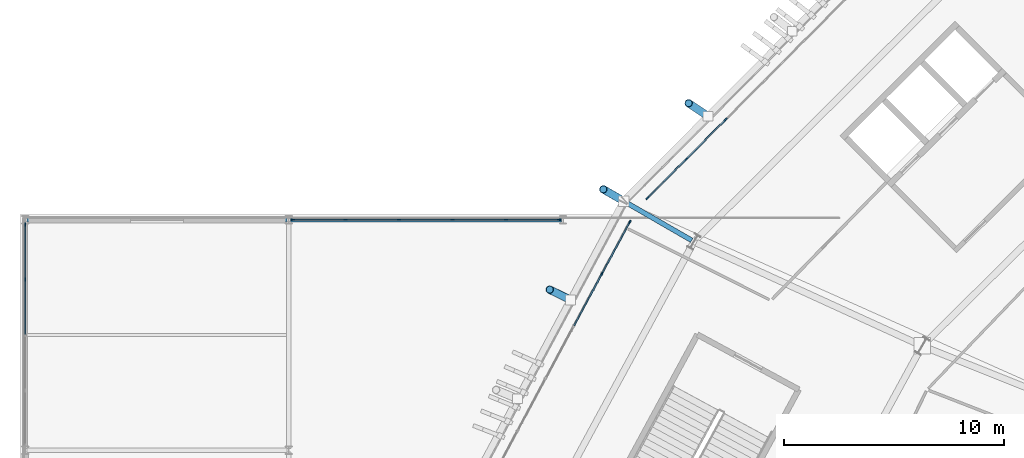
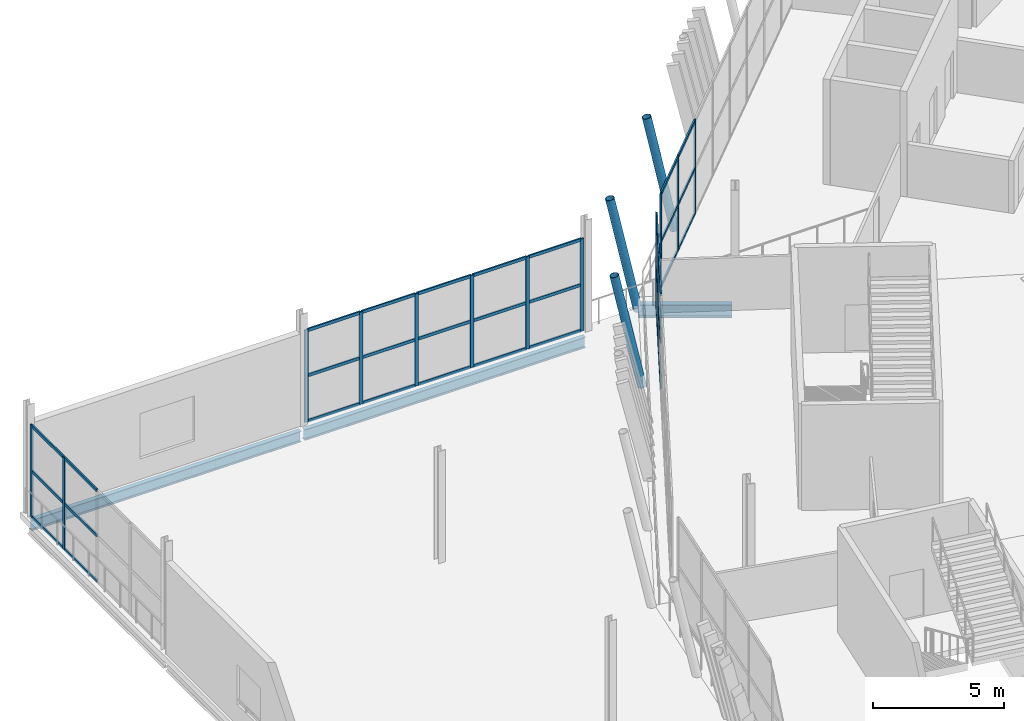
# One storey, part 42 of 168: 49 members, 3 beams, 4 elements without a shape of their own.
"""IFC4 building model written with IfcOpenShell, lengths in metres."""

from ifc_helpers import new_model, si_unit, direction, frame, origin, origin_2d, place, context, subcontext, project, spatial, rectangle, hollow_circle, i_section, extrude, material, material_profile, profile_set, type_object, element, aggregate, save


model = new_model("IFC4")

# Units and contexts
model_context = context("Model", 3, precision=1e-05, world=origin(), true_north=direction((0.0, 1.0)))
body_context = subcontext(model_context, "Body", "Model", "MODEL_VIEW")
ifc_project = project(units=[si_unit("LENGTHUNIT", "METRE"), si_unit("AREAUNIT", "SQUARE_METRE"), si_unit("VOLUMEUNIT", "CUBIC_METRE"), si_unit("PLANEANGLEUNIT", "RADIAN"), si_unit("MASSUNIT", "GRAM", prefix="KILO")], contexts=[model_context])

# Site, building, storey
site_placement = place(None, origin())
site = spatial("IfcSite", under=ifc_project, at=site_placement, CompositionType="ELEMENT")
building_placement = place(site_placement, origin())
building = spatial("IfcBuilding", under=site, at=building_placement, Name="Zlatoyarsky Gate Stadium", CompositionType="ELEMENT")
storey_placement = place(building_placement, frame((0.0, 0.0, 15.60009765625)))
storey = spatial("IfcBuildingStorey", under=building, at=storey_placement, Name="L03", CompositionType="ELEMENT", Elevation=15.60009765625)

# Curtain wall, members
ifc_material_1 = material(Name="Thermally broken anodised aluminium curtain wall", Category="aluminium")
curtain_wall_type_1 = type_object("IfcCurtainWallType", Name="UNITISED CORPORATE BOX GLAZING L03", PredefinedType="USERDEFINED", material=ifc_material_1)
curtain_wall_1_placement = place(storey_placement, origin())
curtain_wall_1 = element("IfcCurtainWall", 1, at=curtain_wall_1_placement, inside=storey, type_object=curtain_wall_type_1, Name="Curtain wall CW-L03-09", ObjectType="UNITISED GLAZING", PredefinedType="USERDEFINED")
ifc_material_2 = material(Name="Anodised aluminium 6063-T6", Category="aluminium")
ifc_material_profile_1 = material_profile(ifc_material_2, rectangle(XDim=0.06494140625, YDim=0.159912109375, at=origin_2d()), Name="ALU 65X160")
ifc_profile_set_1 = profile_set([ifc_material_profile_1], Name="Anodised aluminium 6063-T6")
member_type_1 = type_object("IfcMemberType", Name="ALUMINIUM MULLION 65X160", PredefinedType="MULLION", material=ifc_profile_set_1)
member_1_placement = place(storey_placement, frame((31.903076171875, 121.06298828125, 0.0), z_axis=(0.0, 0.0, 1.0), x_axis=(0.708721143054, -0.705488725202, 0.0)))
member_1 = element("IfcMember", 2, at=member_1_placement, type_object=member_type_1, Name="CW-UG3 mullion 7", PredefinedType="MULLION", context=body_context, shape_type="SweptSolid", body=[
    extrude(rectangle(XDim=0.06494140625, YDim=0.159912109375, at=origin_2d()), origin(), (0.0, 0.0, 1.0), 4.3798828125),
])
member_2_placement = place(storey_placement, frame((30.110595703125, 119.262451171875, 0.0), z_axis=(0.0, 0.0, 1.0), x_axis=(0.708721143054, -0.705488725202, 0.0)))
member_2 = element("IfcMember", 3, at=member_2_placement, type_object=member_type_1, Name="CW-UG3 mullion 8", PredefinedType="MULLION", context=body_context, shape_type="SweptSolid", body=[
    extrude(rectangle(XDim=0.06494140625, YDim=0.159912109375, at=origin_2d()), origin(), (0.0, 0.0, 1.0), 4.3798828125),
])
member_3_placement = place(storey_placement, frame((28.34130859375, 117.48486328125, 0.0), z_axis=(0.0, 0.0, 1.0), x_axis=(0.708721143054, -0.705488725202, 0.0)))
member_3 = element("IfcMember", 4, at=member_3_placement, type_object=member_type_1, Name="CW-UG3 mullion 9", PredefinedType="MULLION", context=body_context, shape_type="SweptSolid", body=[
    extrude(rectangle(XDim=0.06494140625, YDim=0.159912109375, at=origin_2d()), origin(), (0.0, 0.0, 1.0), 4.3798828125),
])

curtain_wall_2_placement = place(storey_placement, origin())
curtain_wall_2 = element("IfcCurtainWall", 5, at=curtain_wall_2_placement, inside=storey, type_object=curtain_wall_type_1, Name="Curtain wall CW-L03-10", ObjectType="UNITISED GLAZING", PredefinedType="USERDEFINED")
member_4_placement = place(storey_placement, frame((27.53662109375, 116.39990234375, 0.0), z_axis=(0.0, 0.0, 1.0), x_axis=(0.880877202392, -0.473344857694, 0.0)))
member_4 = element("IfcMember", 6, at=member_4_placement, type_object=member_type_1, Name="CW-UG3 mullion 1", PredefinedType="MULLION", context=body_context, shape_type="SweptSolid", body=[
    extrude(rectangle(XDim=0.06494140625, YDim=0.159912109375, at=origin_2d()), origin(), (0.0, 0.0, 1.0), 4.3798828125),
])
member_5_placement = place(storey_placement, frame((26.269775390625, 114.04248046875, 0.0), z_axis=(0.0, 0.0, 1.0), x_axis=(0.880877202392, -0.473344857694, 0.0)))
member_5 = element("IfcMember", 7, at=member_5_placement, type_object=member_type_1, Name="CW-UG3 mullion 2", PredefinedType="MULLION", context=body_context, shape_type="SweptSolid", body=[
    extrude(rectangle(XDim=0.06494140625, YDim=0.159912109375, at=origin_2d()), origin(), (0.0, 0.0, 1.0), 4.3798828125),
])

curtain_wall_type_2 = type_object("IfcCurtainWallType", Name="WINTER GARDEN CONSERVATORY GLAZING", PredefinedType="USERDEFINED", material=ifc_material_1)
curtain_wall_3_placement = place(storey_placement, origin())
curtain_wall_3 = element("IfcCurtainWall", 8, at=curtain_wall_3_placement, inside=storey, type_object=curtain_wall_type_2, Name="Curtain wall CW-V4_WEST-L03-173", ObjectType="UNITISED GLAZING", PredefinedType="USERDEFINED")
member_6_placement = place(storey_placement, frame((0.0, 113.779052734375, 0.0), z_axis=(0.0, 0.0, 1.0), x_axis=(-1.0, 0.0, 0.0)))
member_6 = element("IfcMember", 9, at=member_6_placement, type_object=member_type_1, Name="CW-WG1 mullion 4", PredefinedType="MULLION", context=body_context, shape_type="SweptSolid", body=[
    extrude(rectangle(XDim=0.06494140625, YDim=0.159912109375, at=origin_2d()), origin(), (0.0, 0.0, 1.0), 4.27978515625),
])
member_7_placement = place(storey_placement, frame((0.0, 116.275390625, 0.0), z_axis=(0.0, 0.0, 1.0), x_axis=(-1.0, 0.0, 0.0)))
member_7 = element("IfcMember", 10, at=member_7_placement, type_object=member_type_1, Name="CW-WG1 mullion 5", PredefinedType="MULLION", context=body_context, shape_type="SweptSolid", body=[
    extrude(rectangle(XDim=0.06494140625, YDim=0.159912109375, at=origin_2d()), origin(), (0.0, 0.0, 1.0), 4.27978515625),
])

curtain_wall_4_placement = place(storey_placement, origin())
curtain_wall_4 = element("IfcCurtainWall", 11, at=curtain_wall_4_placement, inside=storey, type_object=curtain_wall_type_2, Name="Curtain wall CW-V4_WEST-L03-179", ObjectType="UNITISED GLAZING", PredefinedType="USERDEFINED")
member_8_placement = place(storey_placement, frame((12.194580078125, 116.5, 0.0), z_axis=(0.0, 0.0, 1.0), x_axis=(0.0, 1.0, 0.0)))
member_8 = element("IfcMember", 12, at=member_8_placement, type_object=member_type_1, Name="CW-WG1 mullion 1", PredefinedType="MULLION", context=body_context, shape_type="SweptSolid", body=[
    extrude(rectangle(XDim=0.06494140625, YDim=0.159912109375, at=origin_2d()), origin(), (0.0, 0.0, 1.0), 4.27978515625),
])
member_9_placement = place(storey_placement, frame((14.59716796875, 116.5, 0.0), z_axis=(0.0, 0.0, 1.0), x_axis=(0.0, 1.0, 0.0)))
member_9 = element("IfcMember", 13, at=member_9_placement, type_object=member_type_1, Name="CW-WG1 mullion 2", PredefinedType="MULLION", context=body_context, shape_type="SweptSolid", body=[
    extrude(rectangle(XDim=0.06494140625, YDim=0.159912109375, at=origin_2d()), origin(), (0.0, 0.0, 1.0), 4.27978515625),
])
member_10_placement = place(storey_placement, frame((17.032470703125, 116.5, 0.0), z_axis=(0.0, 0.0, 1.0), x_axis=(0.0, 1.0, 0.0)))
member_10 = element("IfcMember", 14, at=member_10_placement, type_object=member_type_1, Name="CW-WG1 mullion 3", PredefinedType="MULLION", context=body_context, shape_type="SweptSolid", body=[
    extrude(rectangle(XDim=0.06494140625, YDim=0.159912109375, at=origin_2d()), origin(), (0.0, 0.0, 1.0), 4.27978515625),
])
member_11_placement = place(storey_placement, frame((19.467529296875, 116.5, 0.0), z_axis=(0.0, 0.0, 1.0), x_axis=(0.0, 1.0, 0.0)))
member_11 = element("IfcMember", 15, at=member_11_placement, type_object=member_type_1, Name="CW-WG1 mullion 4", PredefinedType="MULLION", context=body_context, shape_type="SweptSolid", body=[
    extrude(rectangle(XDim=0.06494140625, YDim=0.159912109375, at=origin_2d()), origin(), (0.0, 0.0, 1.0), 4.27978515625),
])
member_12_placement = place(storey_placement, frame((21.90283203125, 116.5, 0.0), z_axis=(0.0, 0.0, 1.0), x_axis=(0.0, 1.0, 0.0)))
member_12 = element("IfcMember", 16, at=member_12_placement, type_object=member_type_1, Name="CW-WG1 mullion 5", PredefinedType="MULLION", context=body_context, shape_type="SweptSolid", body=[
    extrude(rectangle(XDim=0.06494140625, YDim=0.159912109375, at=origin_2d()), origin(), (0.0, 0.0, 1.0), 4.27978515625),
])
member_13_placement = place(storey_placement, frame((24.305419921875, 116.5, 0.0), z_axis=(0.0, 0.0, 1.0), x_axis=(0.0, 1.0, 0.0)))
member_13 = element("IfcMember", 17, at=member_13_placement, type_object=member_type_1, Name="CW-WG1 mullion 6", PredefinedType="MULLION", context=body_context, shape_type="SweptSolid", body=[
    extrude(rectangle(XDim=0.06494140625, YDim=0.159912109375, at=origin_2d()), origin(), (0.0, 0.0, 1.0), 4.27978515625),
])

# Member
ifc_material_profile_2 = material_profile(ifc_material_2, rectangle(XDim=0.06494140625, YDim=0.139892578125, at=origin_2d()), Name="ALU 65X140")
ifc_profile_set_2 = profile_set([ifc_material_profile_2], Name="Anodised aluminium 6063-T6")
member_type_2 = type_object("IfcMemberType", Name="ALUMINIUM TRANSOM 65X140", PredefinedType="USERDEFINED", material=ifc_profile_set_2)
member_14_placement = place(storey_placement, frame((31.880126953125, 121.0400390625, 0.032470703125), z_axis=(-0.705477793712, -0.708732024519, 0.0), x_axis=(0.708732024519, -0.705477793712, 0.0)))
member_14 = element("IfcMember", 18, at=member_14_placement, type_object=member_type_2, Name="CW-UG3 transom 7.1", ObjectType="TRANSOM", PredefinedType="USERDEFINED", context=body_context, shape_type="SweptSolid", body=[
    extrude(rectangle(XDim=0.06494140625, YDim=0.139892578125, at=origin_2d()), origin(), (0.0, 0.0, 1.0), 2.475830078125),
])

member_15_placement = place(storey_placement, frame((31.880126953125, 121.0400390625, 2.14990234375), z_axis=(-0.705477793712, -0.708732024519, 0.0), x_axis=(0.708732024519, -0.705477793712, 0.0)))
member_15 = element("IfcMember", 19, at=member_15_placement, type_object=member_type_2, Name="CW-UG3 transom 7.2", ObjectType="TRANSOM", PredefinedType="USERDEFINED", context=body_context, shape_type="SweptSolid", body=[
    extrude(rectangle(XDim=0.06494140625, YDim=0.139892578125, at=origin_2d()), origin(), (0.0, 0.0, 1.0), 2.475830078125),
])

member_16_placement = place(storey_placement, frame((31.880126953125, 121.0400390625, 4.347412109375), z_axis=(-0.705477793712, -0.708732024519, 0.0), x_axis=(0.708732024519, -0.705477793712, 0.0)))
member_16 = element("IfcMember", 20, at=member_16_placement, type_object=member_type_2, Name="CW-UG3 transom 7.3", ObjectType="TRANSOM", PredefinedType="USERDEFINED", context=body_context, shape_type="SweptSolid", body=[
    extrude(rectangle(XDim=0.06494140625, YDim=0.139892578125, at=origin_2d()), origin(), (0.0, 0.0, 1.0), 2.475830078125),
])

member_17_placement = place(storey_placement, frame((30.087890625, 119.239501953125, 0.032470703125), z_axis=(-0.705456130135, -0.708753587967, 0.0), x_axis=(0.708753587967, -0.705456130135, 0.0)))
member_17 = element("IfcMember", 21, at=member_17_placement, type_object=member_type_2, Name="CW-UG3 transom 8.1", ObjectType="TRANSOM", PredefinedType="USERDEFINED", context=body_context, shape_type="SweptSolid", body=[
    extrude(rectangle(XDim=0.06494140625, YDim=0.139892578125, at=origin_2d()), origin(), (0.0, 0.0, 1.0), 2.443359375),
])

member_18_placement = place(storey_placement, frame((30.087890625, 119.239501953125, 2.14990234375), z_axis=(-0.705456130135, -0.708753587967, 0.0), x_axis=(0.708753587967, -0.705456130135, 0.0)))
member_18 = element("IfcMember", 22, at=member_18_placement, type_object=member_type_2, Name="CW-UG3 transom 8.2", ObjectType="TRANSOM", PredefinedType="USERDEFINED", context=body_context, shape_type="SweptSolid", body=[
    extrude(rectangle(XDim=0.06494140625, YDim=0.139892578125, at=origin_2d()), origin(), (0.0, 0.0, 1.0), 2.443359375),
])

member_19_placement = place(storey_placement, frame((30.087890625, 119.239501953125, 4.347412109375), z_axis=(-0.705456130135, -0.708753587967, 0.0), x_axis=(0.708753587967, -0.705456130135, 0.0)))
member_19 = element("IfcMember", 23, at=member_19_placement, type_object=member_type_2, Name="CW-UG3 transom 8.3", ObjectType="TRANSOM", PredefinedType="USERDEFINED", context=body_context, shape_type="SweptSolid", body=[
    extrude(rectangle(XDim=0.06494140625, YDim=0.139892578125, at=origin_2d()), origin(), (0.0, 0.0, 1.0), 2.443359375),
])

aggregate(curtain_wall_1, [member_1, member_2, member_3, member_14, member_15, member_16, member_17, member_18, member_19])

member_20_placement = place(storey_placement, frame((27.521240234375, 116.371337890625, 0.032470703125), z_axis=(-0.473347001092, -0.880876050621, 0.0), x_axis=(0.880876050621, -0.473347001092, 0.0)))
member_20 = element("IfcMember", 24, at=member_20_placement, type_object=member_type_2, Name="CW-UG3 transom 1.1", ObjectType="TRANSOM", PredefinedType="USERDEFINED", context=body_context, shape_type="SweptSolid", body=[
    extrude(rectangle(XDim=0.06494140625, YDim=0.139892578125, at=origin_2d()), origin(), (0.0, 0.0, 1.0), 2.611328125),
])

member_21_placement = place(storey_placement, frame((27.521240234375, 116.371337890625, 2.14990234375), z_axis=(-0.473347001092, -0.880876050621, 0.0), x_axis=(0.880876050621, -0.473347001092, 0.0)))
member_21 = element("IfcMember", 25, at=member_21_placement, type_object=member_type_2, Name="CW-UG3 transom 1.2", ObjectType="TRANSOM", PredefinedType="USERDEFINED", context=body_context, shape_type="SweptSolid", body=[
    extrude(rectangle(XDim=0.06494140625, YDim=0.139892578125, at=origin_2d()), origin(), (0.0, 0.0, 1.0), 2.611328125),
])

member_22_placement = place(storey_placement, frame((27.521240234375, 116.371337890625, 4.347412109375), z_axis=(-0.473347001092, -0.880876050621, 0.0), x_axis=(0.880876050621, -0.473347001092, 0.0)))
member_22 = element("IfcMember", 26, at=member_22_placement, type_object=member_type_2, Name="CW-UG3 transom 1.3", ObjectType="TRANSOM", PredefinedType="USERDEFINED", context=body_context, shape_type="SweptSolid", body=[
    extrude(rectangle(XDim=0.06494140625, YDim=0.139892578125, at=origin_2d()), origin(), (0.0, 0.0, 1.0), 2.611328125),
])

member_23_placement = place(storey_placement, frame((26.25439453125, 114.013671875, 0.032470703125), z_axis=(-0.473356241073, -0.880871085368, 0.0), x_axis=(0.880871085368, -0.473356241073, 0.0)))
member_23 = element("IfcMember", 27, at=member_23_placement, type_object=member_type_2, Name="CW-UG3 transom 2.1", ObjectType="TRANSOM", PredefinedType="USERDEFINED", context=body_context, shape_type="SweptSolid", body=[
    extrude(rectangle(XDim=0.06494140625, YDim=0.139892578125, at=origin_2d()), origin(), (0.0, 0.0, 1.0), 2.643798828125),
])

member_24_placement = place(storey_placement, frame((26.25439453125, 114.013671875, 2.14990234375), z_axis=(-0.473356241073, -0.880871085368, 0.0), x_axis=(0.880871085368, -0.473356241073, 0.0)))
member_24 = element("IfcMember", 28, at=member_24_placement, type_object=member_type_2, Name="CW-UG3 transom 2.2", ObjectType="TRANSOM", PredefinedType="USERDEFINED", context=body_context, shape_type="SweptSolid", body=[
    extrude(rectangle(XDim=0.06494140625, YDim=0.139892578125, at=origin_2d()), origin(), (0.0, 0.0, 1.0), 2.643798828125),
])

member_25_placement = place(storey_placement, frame((26.25439453125, 114.013671875, 4.347412109375), z_axis=(-0.473356241073, -0.880871085368, 0.0), x_axis=(0.880871085368, -0.473356241073, 0.0)))
member_25 = element("IfcMember", 29, at=member_25_placement, type_object=member_type_2, Name="CW-UG3 transom 2.3", ObjectType="TRANSOM", PredefinedType="USERDEFINED", context=body_context, shape_type="SweptSolid", body=[
    extrude(rectangle(XDim=0.06494140625, YDim=0.139892578125, at=origin_2d()), origin(), (0.0, 0.0, 1.0), 2.643798828125),
])

aggregate(curtain_wall_2, [member_4, member_5, member_20, member_21, member_22, member_23, member_24, member_25])

member_26_placement = place(storey_placement, frame((0.0, 111.282470703125, 0.032470703125), z_axis=(0.0, 1.0, 0.0), x_axis=(-1.0, 0.0, 0.0)))
member_26 = element("IfcMember", 30, at=member_26_placement, type_object=member_type_2, Name="CW-WG1 transom 3.1", ObjectType="TRANSOM", PredefinedType="USERDEFINED", context=body_context, shape_type="SweptSolid", body=[
    extrude(rectangle(XDim=0.06494140625, YDim=0.139892578125, at=origin_2d()), origin(), (0.0, 0.0, 1.0), 2.464111328125),
])

member_27_placement = place(storey_placement, frame((0.0, 111.282470703125, 2.14990234375), z_axis=(0.0, 1.0, 0.0), x_axis=(-1.0, 0.0, 0.0)))
member_27 = element("IfcMember", 31, at=member_27_placement, type_object=member_type_2, Name="CW-WG1 transom 3.2", ObjectType="TRANSOM", PredefinedType="USERDEFINED", context=body_context, shape_type="SweptSolid", body=[
    extrude(rectangle(XDim=0.06494140625, YDim=0.139892578125, at=origin_2d()), origin(), (0.0, 0.0, 1.0), 2.464111328125),
])

member_28_placement = place(storey_placement, frame((0.0, 111.282470703125, 4.247314453125), z_axis=(0.0, 1.0, 0.0), x_axis=(-1.0, 0.0, 0.0)))
member_28 = element("IfcMember", 32, at=member_28_placement, type_object=member_type_2, Name="CW-WG1 transom 3.3", ObjectType="TRANSOM", PredefinedType="USERDEFINED", context=body_context, shape_type="SweptSolid", body=[
    extrude(rectangle(XDim=0.06494140625, YDim=0.139892578125, at=origin_2d()), origin(), (0.0, 0.0, 1.0), 2.464111328125),
])

member_29_placement = place(storey_placement, frame((0.0, 113.8115234375, 0.032470703125), z_axis=(0.0, 1.0, 0.0), x_axis=(-1.0, 0.0, 0.0)))
member_29 = element("IfcMember", 33, at=member_29_placement, type_object=member_type_2, Name="CW-WG1 transom 4.1", ObjectType="TRANSOM", PredefinedType="USERDEFINED", context=body_context, shape_type="SweptSolid", body=[
    extrude(rectangle(XDim=0.06494140625, YDim=0.139892578125, at=origin_2d()), origin(), (0.0, 0.0, 1.0), 2.431396484375),
])

member_30_placement = place(storey_placement, frame((0.0, 113.8115234375, 2.14990234375), z_axis=(0.0, 1.0, 0.0), x_axis=(-1.0, 0.0, 0.0)))
member_30 = element("IfcMember", 34, at=member_30_placement, type_object=member_type_2, Name="CW-WG1 transom 4.2", ObjectType="TRANSOM", PredefinedType="USERDEFINED", context=body_context, shape_type="SweptSolid", body=[
    extrude(rectangle(XDim=0.06494140625, YDim=0.139892578125, at=origin_2d()), origin(), (0.0, 0.0, 1.0), 2.431396484375),
])

member_31_placement = place(storey_placement, frame((0.0, 113.8115234375, 4.247314453125), z_axis=(0.0, 1.0, 0.0), x_axis=(-1.0, 0.0, 0.0)))
member_31 = element("IfcMember", 35, at=member_31_placement, type_object=member_type_2, Name="CW-WG1 transom 4.3", ObjectType="TRANSOM", PredefinedType="USERDEFINED", context=body_context, shape_type="SweptSolid", body=[
    extrude(rectangle(XDim=0.06494140625, YDim=0.139892578125, at=origin_2d()), origin(), (0.0, 0.0, 1.0), 2.431396484375),
])

aggregate(curtain_wall_3, [member_6, member_7, member_26, member_27, member_28, member_29, member_30, member_31])

member_32_placement = place(storey_placement, frame((12.22705078125, 116.5, 0.032470703125), z_axis=(1.0, 0.0, 0.0), x_axis=(0.0, 1.0, 0.0)))
member_32 = element("IfcMember", 36, at=member_32_placement, type_object=member_type_2, Name="CW-WG1 transom 1.1", ObjectType="TRANSOM", PredefinedType="USERDEFINED", context=body_context, shape_type="SweptSolid", body=[
    extrude(rectangle(XDim=0.06494140625, YDim=0.139892578125, at=origin_2d()), origin(), (0.0, 0.0, 1.0), 2.337646484375),
])

member_33_placement = place(storey_placement, frame((12.22705078125, 116.5, 2.14990234375), z_axis=(1.0, 0.0, 0.0), x_axis=(0.0, 1.0, 0.0)))
member_33 = element("IfcMember", 37, at=member_33_placement, type_object=member_type_2, Name="CW-WG1 transom 1.2", ObjectType="TRANSOM", PredefinedType="USERDEFINED", context=body_context, shape_type="SweptSolid", body=[
    extrude(rectangle(XDim=0.06494140625, YDim=0.139892578125, at=origin_2d()), origin(), (0.0, 0.0, 1.0), 2.337646484375),
])

member_34_placement = place(storey_placement, frame((12.22705078125, 116.5, 4.247314453125), z_axis=(1.0, 0.0, 0.0), x_axis=(0.0, 1.0, 0.0)))
member_34 = element("IfcMember", 38, at=member_34_placement, type_object=member_type_2, Name="CW-WG1 transom 1.3", ObjectType="TRANSOM", PredefinedType="USERDEFINED", context=body_context, shape_type="SweptSolid", body=[
    extrude(rectangle(XDim=0.06494140625, YDim=0.139892578125, at=origin_2d()), origin(), (0.0, 0.0, 1.0), 2.337646484375),
])

member_35_placement = place(storey_placement, frame((14.629638671875, 116.5, 0.032470703125), z_axis=(1.0, 0.0, 0.0), x_axis=(0.0, 1.0, 0.0)))
member_35 = element("IfcMember", 39, at=member_35_placement, type_object=member_type_2, Name="CW-WG1 transom 2.1", ObjectType="TRANSOM", PredefinedType="USERDEFINED", context=body_context, shape_type="SweptSolid", body=[
    extrude(rectangle(XDim=0.06494140625, YDim=0.139892578125, at=origin_2d()), origin(), (0.0, 0.0, 1.0), 2.370361328125),
])

member_36_placement = place(storey_placement, frame((14.629638671875, 116.5, 2.14990234375), z_axis=(1.0, 0.0, 0.0), x_axis=(0.0, 1.0, 0.0)))
member_36 = element("IfcMember", 40, at=member_36_placement, type_object=member_type_2, Name="CW-WG1 transom 2.2", ObjectType="TRANSOM", PredefinedType="USERDEFINED", context=body_context, shape_type="SweptSolid", body=[
    extrude(rectangle(XDim=0.06494140625, YDim=0.139892578125, at=origin_2d()), origin(), (0.0, 0.0, 1.0), 2.370361328125),
])

member_37_placement = place(storey_placement, frame((14.629638671875, 116.5, 4.247314453125), z_axis=(1.0, 0.0, 0.0), x_axis=(0.0, 1.0, 0.0)))
member_37 = element("IfcMember", 41, at=member_37_placement, type_object=member_type_2, Name="CW-WG1 transom 2.3", ObjectType="TRANSOM", PredefinedType="USERDEFINED", context=body_context, shape_type="SweptSolid", body=[
    extrude(rectangle(XDim=0.06494140625, YDim=0.139892578125, at=origin_2d()), origin(), (0.0, 0.0, 1.0), 2.370361328125),
])

member_38_placement = place(storey_placement, frame((17.06494140625, 116.5, 0.032470703125), z_axis=(1.0, 0.0, 0.0), x_axis=(0.0, 1.0, 0.0)))
member_38 = element("IfcMember", 42, at=member_38_placement, type_object=member_type_2, Name="CW-WG1 transom 3.1", ObjectType="TRANSOM", PredefinedType="USERDEFINED", context=body_context, shape_type="SweptSolid", body=[
    extrude(rectangle(XDim=0.06494140625, YDim=0.139892578125, at=origin_2d()), origin(), (0.0, 0.0, 1.0), 2.3701171875),
])

member_39_placement = place(storey_placement, frame((17.06494140625, 116.5, 2.14990234375), z_axis=(1.0, 0.0, 0.0), x_axis=(0.0, 1.0, 0.0)))
member_39 = element("IfcMember", 43, at=member_39_placement, type_object=member_type_2, Name="CW-WG1 transom 3.2", ObjectType="TRANSOM", PredefinedType="USERDEFINED", context=body_context, shape_type="SweptSolid", body=[
    extrude(rectangle(XDim=0.06494140625, YDim=0.139892578125, at=origin_2d()), origin(), (0.0, 0.0, 1.0), 2.3701171875),
])

member_40_placement = place(storey_placement, frame((17.06494140625, 116.5, 4.247314453125), z_axis=(1.0, 0.0, 0.0), x_axis=(0.0, 1.0, 0.0)))
member_40 = element("IfcMember", 44, at=member_40_placement, type_object=member_type_2, Name="CW-WG1 transom 3.3", ObjectType="TRANSOM", PredefinedType="USERDEFINED", context=body_context, shape_type="SweptSolid", body=[
    extrude(rectangle(XDim=0.06494140625, YDim=0.139892578125, at=origin_2d()), origin(), (0.0, 0.0, 1.0), 2.3701171875),
])

member_41_placement = place(storey_placement, frame((19.5, 116.5, 0.032470703125), z_axis=(1.0, 0.0, 0.0), x_axis=(0.0, 1.0, 0.0)))
member_41 = element("IfcMember", 45, at=member_41_placement, type_object=member_type_2, Name="CW-WG1 transom 4.1", ObjectType="TRANSOM", PredefinedType="USERDEFINED", context=body_context, shape_type="SweptSolid", body=[
    extrude(rectangle(XDim=0.06494140625, YDim=0.139892578125, at=origin_2d()), origin(), (0.0, 0.0, 1.0), 2.370361328125),
])

member_42_placement = place(storey_placement, frame((19.5, 116.5, 2.14990234375), z_axis=(1.0, 0.0, 0.0), x_axis=(0.0, 1.0, 0.0)))
member_42 = element("IfcMember", 46, at=member_42_placement, type_object=member_type_2, Name="CW-WG1 transom 4.2", ObjectType="TRANSOM", PredefinedType="USERDEFINED", context=body_context, shape_type="SweptSolid", body=[
    extrude(rectangle(XDim=0.06494140625, YDim=0.139892578125, at=origin_2d()), origin(), (0.0, 0.0, 1.0), 2.370361328125),
])

member_43_placement = place(storey_placement, frame((19.5, 116.5, 4.247314453125), z_axis=(1.0, 0.0, 0.0), x_axis=(0.0, 1.0, 0.0)))
member_43 = element("IfcMember", 47, at=member_43_placement, type_object=member_type_2, Name="CW-WG1 transom 4.3", ObjectType="TRANSOM", PredefinedType="USERDEFINED", context=body_context, shape_type="SweptSolid", body=[
    extrude(rectangle(XDim=0.06494140625, YDim=0.139892578125, at=origin_2d()), origin(), (0.0, 0.0, 1.0), 2.370361328125),
])

member_44_placement = place(storey_placement, frame((21.935302734375, 116.5, 0.032470703125), z_axis=(1.0, 0.0, 0.0), x_axis=(0.0, 1.0, 0.0)))
member_44 = element("IfcMember", 48, at=member_44_placement, type_object=member_type_2, Name="CW-WG1 transom 5.1", ObjectType="TRANSOM", PredefinedType="USERDEFINED", context=body_context, shape_type="SweptSolid", body=[
    extrude(rectangle(XDim=0.06494140625, YDim=0.139892578125, at=origin_2d()), origin(), (0.0, 0.0, 1.0), 2.337646484375),
])

member_45_placement = place(storey_placement, frame((21.935302734375, 116.5, 2.14990234375), z_axis=(1.0, 0.0, 0.0), x_axis=(0.0, 1.0, 0.0)))
member_45 = element("IfcMember", 49, at=member_45_placement, type_object=member_type_2, Name="CW-WG1 transom 5.2", ObjectType="TRANSOM", PredefinedType="USERDEFINED", context=body_context, shape_type="SweptSolid", body=[
    extrude(rectangle(XDim=0.06494140625, YDim=0.139892578125, at=origin_2d()), origin(), (0.0, 0.0, 1.0), 2.337646484375),
])

member_46_placement = place(storey_placement, frame((21.935302734375, 116.5, 4.247314453125), z_axis=(1.0, 0.0, 0.0), x_axis=(0.0, 1.0, 0.0)))
member_46 = element("IfcMember", 50, at=member_46_placement, type_object=member_type_2, Name="CW-WG1 transom 5.3", ObjectType="TRANSOM", PredefinedType="USERDEFINED", context=body_context, shape_type="SweptSolid", body=[
    extrude(rectangle(XDim=0.06494140625, YDim=0.139892578125, at=origin_2d()), origin(), (0.0, 0.0, 1.0), 2.337646484375),
])

aggregate(curtain_wall_4, [member_8, member_9, member_10, member_11, member_12, member_13, member_32, member_33, member_34, member_35, member_36, member_37, member_38, member_39, member_40, member_41, member_42, member_43, member_44, member_45, member_46])

# Beams
ifc_material_3 = material(Name="Steel S355", Category="steel")
ifc_material_profile_3 = material_profile(ifc_material_3, i_section(OverallWidth=0.219970703125, OverallDepth=0.60009765625, WebThickness=0.011962890625, FlangeThickness=0.01904296875, FilletRadius=0.02392578125, at=origin_2d()), Name="IPE 600")
ifc_profile_set_3 = profile_set([ifc_material_profile_3], Name="Steel S355")
beam_type_1 = type_object("IfcBeamType", Name="STEEL CANTILEVER FLOOR BEAM IPE 600", PredefinedType="BEAM", material=ifc_profile_set_3)
beam_1_placement = place(storey_placement, frame((30.355712890625, 115.56005859375, -0.580078125), z_axis=(-0.866036909293, 0.499980071345, 0.0), x_axis=(-0.499980071345, -0.866036909293, 0.0)))
element("IfcBeam", 51, at=beam_1_placement, inside=storey, type_object=beam_type_1, Name="Beam B-IPE600 BM-L03-OUT-10", PredefinedType="BEAM", context=body_context, shape_type="SweptSolid", body=[
    extrude(i_section(OverallWidth=0.219970703125, OverallDepth=0.60009765625, WebThickness=0.011962890625, FlangeThickness=0.01904296875, FilletRadius=0.02392578125, at=origin_2d()), origin(), (0.0, 0.0, 1.0), 3.582275390625),
])
ifc_material_profile_4 = material_profile(ifc_material_3, i_section(OverallWidth=0.199951171875, OverallDepth=0.5, WebThickness=0.01025390625, FlangeThickness=0.01611328125, FilletRadius=0.02099609375, at=origin_2d()), Name="IPE 500")
ifc_profile_set_4 = profile_set([ifc_material_profile_4], Name="Steel S355")
beam_type_2 = type_object("IfcBeamType", Name="STEEL FLOOR BEAM IPE 500", PredefinedType="BEAM", material=ifc_profile_set_4)
beam_2_placement = place(storey_placement, frame((0.080078125, 116.5, -0.530029296875), z_axis=(1.0, 0.0, 0.0), x_axis=(0.0, 1.0, 0.0)))
element("IfcBeam", 52, at=beam_2_placement, inside=storey, type_object=beam_type_2, Name="Beam B-IPE500 BM-L03-WGX-1-L", PredefinedType="BEAM", context=body_context, shape_type="SweptSolid", body=[
    extrude(i_section(OverallWidth=0.199951171875, OverallDepth=0.5, WebThickness=0.01025390625, FlangeThickness=0.01611328125, FilletRadius=0.02099609375, at=origin_2d()), origin(), (0.0, 0.0, 1.0), 11.83984375),
])
beam_3_placement = place(storey_placement, frame((12.080078125, 116.5, -0.530029296875), z_axis=(1.0, 0.0, 0.0), x_axis=(0.0, 1.0, 0.0)))
element("IfcBeam", 53, at=beam_3_placement, inside=storey, type_object=beam_type_2, Name="Beam B-IPE500 BM-L03-WGX-2-L", PredefinedType="BEAM", context=body_context, shape_type="SweptSolid", body=[
    extrude(i_section(OverallWidth=0.199951171875, OverallDepth=0.5, WebThickness=0.01025390625, FlangeThickness=0.01611328125, FilletRadius=0.02099609375, at=origin_2d()), origin(), (0.0, 0.0, 1.0), 12.33984375),
])

# Members
ifc_material_profile_5 = material_profile(ifc_material_3, hollow_circle(Radius=0.177734375, WallThickness=0.02001953125, at=origin_2d()), Name="CHS 355.6X20")
ifc_profile_set_5 = profile_set([ifc_material_profile_5], Name="Steel S355")
member_type_3 = type_object("IfcMemberType", Name="STEEL LEANING RIB RING STRUT CHS 355.6X20", PredefinedType="STRUT", material=ifc_profile_set_5)
member_47_placement = place(storey_placement, frame((27.25341796875, 117.35107421875, -0.580078125), z_axis=(-0.174770288575, 0.100910684317, 0.979424514714), x_axis=(-0.500026055714, -0.866010359988, 0.0)))
element("IfcMember", 54, at=member_47_placement, inside=storey, type_object=member_type_3, Name="Leaning ring strut 10 L03 to L04", PredefinedType="STRUT", context=body_context, shape_type="SweptSolid", body=[
    extrude(hollow_circle(Radius=0.177734375, WallThickness=0.02001953125, at=origin_2d()), origin(), (0.0, 0.0, 1.0), 5.288818359375),
])
for number, where, z_axis, x_axis, name in (
    (55, (31.09521484375, 121.218994140625, -0.530029296875), (-0.166782151145, 0.111372798605, 0.979683527365), (-0.555337619613, -0.831624992555, 0.0), "Outward-leaning bowl louvre fin rib L03 09-3"),
    (56, (24.838134765625, 112.846923828125, -0.530029296875), (-0.179849366045, 0.088747235311, 0.979682669928), (-0.442510646428, -0.896763250695, 0.0), "Outward-leaning bowl louvre fin rib L03 10-1"),
):
    element("IfcMember", number, at=place(storey_placement, frame(where, z_axis=z_axis, x_axis=x_axis)), inside=storey, type_object=member_type_3, Name=name, PredefinedType="STRUT", context=body_context, shape_type="SweptSolid", body=[
        extrude(hollow_circle(Radius=0.177734375, WallThickness=0.02001953125, at=origin_2d()), origin(), (0.0, 0.0, 1.0), 5.287353515625),
    ])

save(model, "model.ifc")
